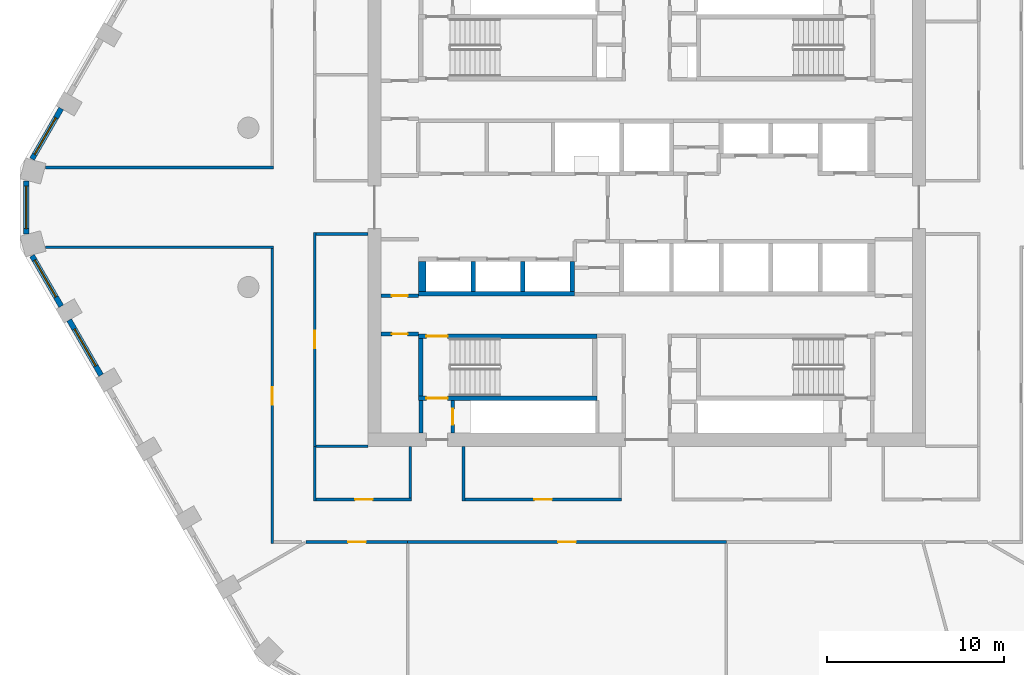
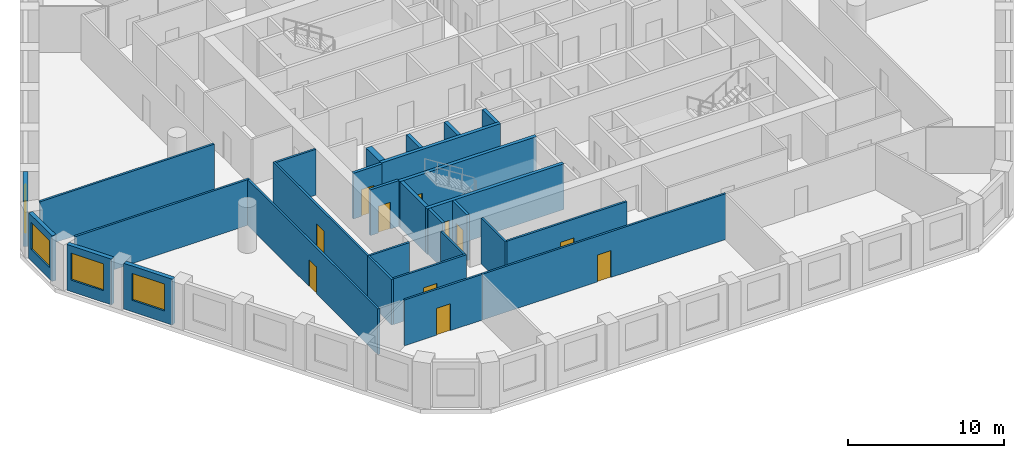
# One storey, part 2 of 10: 29 walls, 11 doors, 4 windows, 15 openings.
"""IFC4 building model written with IfcOpenShell, lengths in metres."""

import ifcopenshell
import ifcopenshell.guid

model = None  # the IFC model being written
_history = None  # IfcOwnerHistory: only IFC2X3 demands one
_inside = {}  # id of a spatial element -> (the spatial element, [elements in it])
_under = {}  # id of a project, library or spatial element -> (it, [spatial elements below it])
_declared = {}  # id of a project -> (the project, [libraries it declares])
_typed = {}  # id of a type object -> (the type object, [elements of that type])
_made_of = {}  # id of a material, layer set ... -> (it, [elements and type objects made of it])


def new_model(schema):
    """Start an empty IFC model of exactly this schema.

    Asked for "IFC4X3", IfcOpenShell would pick the latest addendum, in which some entities
    have other attributes; the version numbers below select the first issue.
    IFC2X3 requires an IfcOwnerHistory on every rooted entity: one is made here for all.
    """
    global model, _history
    if schema == "IFC4X3":
        model = ifcopenshell.file(schema_version=(4, 3, 0, 0))
    else:
        model = ifcopenshell.file(schema=schema)
    _inside.clear()
    _under.clear()
    _declared.clear()
    _typed.clear()
    _made_of.clear()
    _history = None
    if model.schema == "IFC2X3":
        org = make("IfcOrganization", Name="unknown")
        user = make(
            "IfcPersonAndOrganization",
            ThePerson=make("IfcPerson", FamilyName="unknown"),
            TheOrganization=org,
        )
        app = make(
            "IfcApplication",
            ApplicationDeveloper=org,
            Version="unknown",
            ApplicationFullName="unknown",
            ApplicationIdentifier="unknown",
        )
        _history = make(
            "IfcOwnerHistory",
            OwningUser=user,
            OwningApplication=app,
            ChangeAction="ADDED",
            CreationDate=0,
        )
    return model


def make(cls, **values):
    """One entity of the class cls with the attributes given. An attribute that is None is left unset."""
    return model.create_entity(
        cls, **{name: value for name, value in values.items() if value is not None}
    )


def rooted(cls, **values):
    """An entity with a GlobalId (a new one), such as an element, a storey or a relation."""
    return make(cls, GlobalId=ifcopenshell.guid.new(), OwnerHistory=_history, **values)


def si_unit(unit_type, name, prefix=None):
    """IfcSIUnit, for example si_unit("LENGTHUNIT", "METRE", prefix="MILLI")."""
    return make("IfcSIUnit", UnitType=unit_type, Prefix=prefix, Name=name)


def assignment(units):
    """IfcUnitAssignment: the units of a project."""
    return None if units is None else make("IfcUnitAssignment", Units=units)


def point(xyz):
    """IfcCartesianPoint."""
    return None if xyz is None else make("IfcCartesianPoint", Coordinates=xyz)


def direction(xyz):
    """IfcDirection."""
    return None if xyz is None else make("IfcDirection", DirectionRatios=xyz)


def frame(location, z_axis=None, x_axis=None):
    """IfcAxis2Placement3D, a coordinate frame: its origin and axes. An axis left out is left unset."""
    return make(
        "IfcAxis2Placement3D",
        Location=point(location),
        Axis=direction(z_axis),
        RefDirection=direction(x_axis),
    )


def frame_2d(location, x_axis=None):
    """IfcAxis2Placement2D, a coordinate frame in the plane: its origin and x axis."""
    return make(
        "IfcAxis2Placement2D", Location=point(location), RefDirection=direction(x_axis)
    )


def origin():
    """The frame at (0, 0, 0) with its axes left unset."""
    return frame((0.0, 0.0, 0.0))


def place(relative_to, where):
    """IfcLocalPlacement: puts the frame where relative to a parent placement (None: the world)."""
    return make(
        "IfcLocalPlacement", PlacementRelTo=relative_to, RelativePlacement=where
    )


def context(
    kind, dimensions, precision=None, world=None, true_north=None, identifier=None
):
    """IfcGeometricRepresentationContext, for example the 3D "Model" context."""
    return make(
        "IfcGeometricRepresentationContext",
        ContextIdentifier=identifier,
        ContextType=kind,
        CoordinateSpaceDimension=dimensions,
        Precision=precision,
        WorldCoordinateSystem=world,
        TrueNorth=true_north,
    )


def subcontext(parent, identifier, kind, view, scale=None):
    """IfcGeometricRepresentationSubContext, for example "Body" below "Model"."""
    return make(
        "IfcGeometricRepresentationSubContext",
        ContextIdentifier=identifier,
        ContextType=kind,
        ParentContext=parent,
        TargetScale=scale,
        TargetView=view,
    )


def project(units=None, contexts=None):
    """IfcProject with its units and contexts."""
    return rooted(
        "IfcProject",
        Name="project",
        RepresentationContexts=contexts,
        UnitsInContext=assignment(units),
    )


def spatial(cls, under=None, at=None, **own):
    """A site, building, storey or space (cls), placed at a placement, below another one or the project."""
    s = rooted(cls, ObjectPlacement=at, **own)
    if under is not None:
        _under.setdefault(under.id(), (under, []))[1].append(s)
    return s


def polyline(points):
    """IfcPolyline through the points."""
    return make("IfcPolyline", Points=[point(p) for p in points])


def profile(cls, at=None, kind="AREA", **sizes):
    """A parametric profile (cls). Its sizes go by their IFC names, for example OverallWidth=200.0."""
    return make(cls, ProfileType=kind, Position=at, **sizes)


def rectangle(**sizes):
    """IfcRectangleProfileDef."""
    return profile("IfcRectangleProfileDef", **sizes)


def outline(outer, holes=None, kind="AREA"):
    """IfcArbitraryClosedProfileDef: a profile drawn as a closed curve; with holes, ...WithVoids."""
    if holes is None:
        return make("IfcArbitraryClosedProfileDef", ProfileType=kind, OuterCurve=outer)
    return make(
        "IfcArbitraryProfileDefWithVoids",
        ProfileType=kind,
        OuterCurve=outer,
        InnerCurves=holes,
    )


def extrude(swept, where, along, depth):
    """IfcExtrudedAreaSolid: the profile swept, set in the frame where, extruded along a direction by depth."""
    return make(
        "IfcExtrudedAreaSolid",
        SweptArea=swept,
        Position=where,
        ExtrudedDirection=direction(along),
        Depth=depth,
    )


def shape(context_of_items, identifier, shape_type, items):
    """IfcShapeRepresentation: the items that make up one representation, for example the "Body"."""
    return make(
        "IfcShapeRepresentation",
        ContextOfItems=context_of_items,
        RepresentationIdentifier=identifier,
        RepresentationType=shape_type,
        Items=items,
    )


def material(Name=None, Category=None):
    """IfcMaterial."""
    return make("IfcMaterial", Name=Name, Category=Category)


def layer(
    of_material, thickness, ventilated=None, Name=None, Category=None, Priority=None
):
    """IfcMaterialLayer: one layer of a wall or slab, of a material (None: an air gap)."""
    return make(
        "IfcMaterialLayer",
        Material=of_material,
        LayerThickness=thickness,
        IsVentilated=ventilated,
        Name=Name,
        Category=Category,
        Priority=Priority,
    )


def layer_set(layers, Name=None):
    """IfcMaterialLayerSet."""
    return make("IfcMaterialLayerSet", MaterialLayers=layers, LayerSetName=Name)


def made_of(thing, what):
    """Note that an element or type object is made of a material, layer set ...; save() writes the relation."""
    if what is not None:
        _made_of.setdefault(what.id(), (what, []))[1].append(thing)
    return thing


def type_object(cls, material=None, **own):
    """A type object (cls), such as IfcWallType, which elements share."""
    return made_of(rooted(cls, **own), material)


def element(
    cls,
    number,
    at=None,
    inside=None,
    cuts=None,
    type_object=None,
    material=None,
    context=None,
    identifier="Body",
    shape_type=None,
    held_by="IfcProductDefinitionShape",
    body=None,
    shapes=None,
    **own,
):
    """One element of the class cls, such as IfcWall. Its Tag is "e" and its number.

    at: its placement. inside: the storey or other place that contains it. cuts: it is an
    opening in that element (IfcRelVoidsElement). A single representation is given by context,
    identifier, shape_type and body (its items); several are given by shapes. held_by: the class
    of the entity that holds the representations. save() writes the other relations.
    """
    e = rooted(cls, Tag="e%d" % number, ObjectPlacement=at, **own)
    if body is not None:
        shapes = [shape(context, identifier, shape_type, body)]
    if shapes is not None:
        e.Representation = make(held_by, Representations=shapes)
    if inside is not None:
        _inside.setdefault(inside.id(), (inside, []))[1].append(e)
    if cuts is not None:
        rooted(
            "IfcRelVoidsElement", RelatingBuildingElement=cuts, RelatedOpeningElement=e
        )
    if type_object is not None:
        _typed.setdefault(type_object.id(), (type_object, []))[1].append(e)
    return made_of(e, material)


def fill(opening, filler):
    """IfcRelFillsElement: the door or window that sits in an opening."""
    return rooted(
        "IfcRelFillsElement",
        RelatingOpeningElement=opening,
        RelatedBuildingElement=filler,
    )


def aggregate(whole, parts):
    """IfcRelAggregates: a whole, such as a stair, and the parts it consists of."""
    return rooted("IfcRelAggregates", RelatingObject=whole, RelatedObjects=parts)


def save(model, path):
    """Write the relations noted so far, then the file.

    IfcRelAggregates (storeys below a building ...), IfcRelContainedInSpatialStructure (elements
    in a storey), IfcRelDefinesByType, IfcRelAssociatesMaterial and IfcRelDeclares: one each for
    every whole, place, type object, material and project.
    """
    for whole, parts in _under.values():
        aggregate(whole, parts)
    for where, things in _inside.values():
        rooted(
            "IfcRelContainedInSpatialStructure",
            RelatedElements=things,
            RelatingStructure=where,
        )
    for kind, things in _typed.values():
        rooted("IfcRelDefinesByType", RelatedObjects=things, RelatingType=kind)
    for what, things in _made_of.values():
        rooted("IfcRelAssociatesMaterial", RelatedObjects=things, RelatingMaterial=what)
    for by, libraries in _declared.values():
        rooted("IfcRelDeclares", RelatingContext=by, RelatedDefinitions=libraries)
    model.write(path)


model = new_model("IFC4")

# Units and contexts
model_context = context("Model", 3, precision=1e-05, world=origin(), true_north=direction((0.0, 1.0)))
body_context = subcontext(model_context, "Body", "Model", "MODEL_VIEW")
ifc_project = project(units=[si_unit("LENGTHUNIT", "METRE"), si_unit("AREAUNIT", "SQUARE_METRE"), si_unit("VOLUMEUNIT", "CUBIC_METRE"), si_unit("PLANEANGLEUNIT", "RADIAN"), si_unit("MASSUNIT", "GRAM", prefix="KILO")], contexts=[model_context])

# Site, building, storey
site_placement = place(None, origin())
site = spatial("IfcSite", under=ifc_project, at=site_placement, CompositionType="ELEMENT")
building_placement = place(site_placement, origin())
building = spatial("IfcBuilding", under=site, at=building_placement, Name="Dhurran Vertical Campus", CompositionType="ELEMENT")
storey_placement = place(building_placement, frame((0.0, 0.0, 148.199951171875)))
storey = spatial("IfcBuildingStorey", under=building, at=storey_placement, Name="L36", CompositionType="ELEMENT", Elevation=148.199951171875)

# Wall, opening, window
ifc_material_1 = material(Name="Precast concrete C50/60", Category="concrete")
ifc_layer_1 = layer(ifc_material_1, 0.300048828125)
ifc_layer_set_1 = layer_set([ifc_layer_1], Name="Precast concrete C50/60")
wall_type_1 = type_object("IfcWallType", Name="Precast spandrel wall 300", PredefinedType="SOLIDWALL", material=ifc_layer_set_1)
wall_1_placement = place(storey_placement, frame((-33.0693359375, 5.58203125, 0.0), z_axis=(0.0, 0.0, 1.0), x_axis=(-0.499981217486, -0.866036247602, 0.0)))
wall_1 = element("IfcWall", 1, at=wall_1_placement, inside=storey, type_object=wall_type_1, Name="EW1 L36.37", PredefinedType="SOLIDWALL", context=body_context, shape_type="SweptSolid", body=[
    extrude(rectangle(XDim=3.294189453125, YDim=0.300048828125, at=frame_2d((1.64697265625, 0.0))), origin(), (0.0, 0.0, 1.0), 3.574951171875),
])
opening_1_placement = place(wall_1_placement, frame((0.599609375, 0.0, 0.89990234375)))
opening_1 = element("IfcOpeningElement", 2, at=opening_1_placement, cuts=wall_1, Name="Opening WT1", PredefinedType="OPENING", context=body_context, shape_type="SweptSolid", body=[
    extrude(rectangle(XDim=2.39990234375, YDim=2.10009765625, at=frame_2d((1.199951171875, 1.050048828125))), frame((0.0, 0.159912109375, 0.0), z_axis=(0.0, -1.0, 0.0), x_axis=(1.0, 0.0, 0.0)), (0.0, 0.0, 1.0), 0.320068359375),
])
ifc_material_2 = material(Name="Aluminium frame with solar-control glass", Category="aluminium")
window_type = type_object("IfcWindowType", Name="Punched window 2400 x 2100", PartitioningType="SINGLE_PANEL", PredefinedType="WINDOW", material=ifc_material_2)
window_1_placement = place(opening_1_placement, origin())
window_1 = element("IfcWindow", 3, at=window_1_placement, inside=storey, type_object=window_type, Name="WT1 L36.37", OverallHeight=2.10009765625, OverallWidth=2.39990234375, PartitioningType="SINGLE_PANEL", PredefinedType="WINDOW", context=body_context, shape_type="SweptSolid", body=[
    extrude(rectangle(XDim=2.39990234375, YDim=2.10009765625, at=frame_2d((1.199951171875, 1.050048828125))), frame((0.0, 0.030029296875, 0.0), z_axis=(0.0, -1.0, 0.0), x_axis=(1.0, 0.0, 0.0)), (0.0, 0.0, 1.0), 0.06005859375),
])
fill(opening_1, window_1)

wall_2_placement = place(storey_placement, frame((-35.047119140625, 1.49462890625, 0.0), z_axis=(0.0, 0.0, 1.0), x_axis=(0.0, -1.0, 0.0)))
wall_2 = element("IfcWall", 4, at=wall_2_placement, inside=storey, type_object=wall_type_1, Name="EW1 L36.38", PredefinedType="SOLIDWALL", context=body_context, shape_type="SweptSolid", body=[
    extrude(rectangle(XDim=2.9892578125, YDim=0.300048828125, at=frame_2d((1.49462890625, 0.0))), origin(), (0.0, 0.0, 1.0), 3.574951171875),
])
opening_2_placement = place(wall_2_placement, frame((0.294677734375, 0.0, 0.89990234375)))
opening_2 = element("IfcOpeningElement", 5, at=opening_2_placement, cuts=wall_2, Name="Opening WT1", PredefinedType="OPENING", context=body_context, shape_type="SweptSolid", body=[
    extrude(rectangle(XDim=2.39990234375, YDim=2.10009765625, at=frame_2d((1.199951171875, 1.050048828125))), frame((0.0, 0.159912109375, 0.0), z_axis=(0.0, -1.0, 0.0), x_axis=(1.0, 0.0, 0.0)), (0.0, 0.0, 1.0), 0.320068359375),
])
window_2_placement = place(opening_2_placement, origin())
window_2 = element("IfcWindow", 6, at=window_2_placement, inside=storey, type_object=window_type, Name="WT1 L36.38", OverallHeight=2.10009765625, OverallWidth=2.39990234375, PartitioningType="SINGLE_PANEL", PredefinedType="WINDOW", context=body_context, shape_type="SweptSolid", body=[
    extrude(rectangle(XDim=2.39990234375, YDim=2.10009765625, at=frame_2d((1.199951171875, 1.050048828125))), frame((0.0, 0.030029296875, 0.0), z_axis=(0.0, -1.0, 0.0), x_axis=(1.0, 0.0, 0.0)), (0.0, 0.0, 1.0), 0.06005859375),
])
fill(opening_2, window_2)

wall_3_placement = place(storey_placement, frame((-34.71630859375, -2.729248046875, 0.0), z_axis=(0.0, 0.0, 1.0), x_axis=(0.499981217486, -0.866036247602, 0.0)))
wall_3 = element("IfcWall", 7, at=wall_3_placement, inside=storey, type_object=wall_type_1, Name="EW1 L36.39", PredefinedType="SOLIDWALL", context=body_context, shape_type="SweptSolid", body=[
    extrude(rectangle(XDim=3.294189453125, YDim=0.300048828125, at=frame_2d((1.64697265625, 0.0))), origin(), (0.0, 0.0, 1.0), 3.574951171875),
])
opening_3_placement = place(wall_3_placement, frame((0.294677734375, 0.0, 0.89990234375)))
opening_3 = element("IfcOpeningElement", 8, at=opening_3_placement, cuts=wall_3, Name="Opening WT1", PredefinedType="OPENING", context=body_context, shape_type="SweptSolid", body=[
    extrude(rectangle(XDim=2.39990234375, YDim=2.10009765625, at=frame_2d((1.199951171875, 1.050048828125))), frame((0.0, 0.159912109375, 0.0), z_axis=(0.0, -1.0, 0.0), x_axis=(1.0, 0.0, 0.0)), (0.0, 0.0, 1.0), 0.320068359375),
])
window_3_placement = place(opening_3_placement, origin())
window_3 = element("IfcWindow", 9, at=window_3_placement, inside=storey, type_object=window_type, Name="WT1 L36.39", OverallHeight=2.10009765625, OverallWidth=2.39990234375, PartitioningType="SINGLE_PANEL", PredefinedType="WINDOW", context=body_context, shape_type="SweptSolid", body=[
    extrude(rectangle(XDim=2.39990234375, YDim=2.10009765625, at=frame_2d((1.199951171875, 1.050048828125))), frame((0.0, 0.030029296875, 0.0), z_axis=(0.0, -1.0, 0.0), x_axis=(1.0, 0.0, 0.0)), (0.0, 0.0, 1.0), 0.06005859375),
])
fill(opening_3, window_3)

wall_4_placement = place(storey_placement, frame((-32.618896484375, -6.3623046875, 0.0), z_axis=(0.0, 0.0, 1.0), x_axis=(0.500027802648, -0.866009351323, 0.0)))
wall_4 = element("IfcWall", 10, at=wall_4_placement, inside=storey, type_object=wall_type_1, Name="EW1 L36.40", PredefinedType="SOLIDWALL", context=body_context, shape_type="SweptSolid", body=[
    extrude(rectangle(XDim=3.598876953125, YDim=0.300048828125, at=frame_2d((1.79931640625, 0.0))), origin(), (0.0, 0.0, 1.0), 3.574951171875),
])
opening_4_placement = place(wall_4_placement, frame((0.599609375, 0.0, 0.89990234375)))
opening_4 = element("IfcOpeningElement", 11, at=opening_4_placement, cuts=wall_4, Name="Opening WT1", PredefinedType="OPENING", context=body_context, shape_type="SweptSolid", body=[
    extrude(rectangle(XDim=2.39990234375, YDim=2.10009765625, at=frame_2d((1.199951171875, 1.050048828125))), frame((0.0, 0.159912109375, 0.0), z_axis=(0.0, -1.0, 0.0), x_axis=(1.0, 0.0, 0.0)), (0.0, 0.0, 1.0), 0.320068359375),
])
window_4_placement = place(opening_4_placement, origin())
window_4 = element("IfcWindow", 12, at=window_4_placement, inside=storey, type_object=window_type, Name="WT1 L36.40", OverallHeight=2.10009765625, OverallWidth=2.39990234375, PartitioningType="SINGLE_PANEL", PredefinedType="WINDOW", context=body_context, shape_type="SweptSolid", body=[
    extrude(rectangle(XDim=2.39990234375, YDim=2.10009765625, at=frame_2d((1.199951171875, 1.050048828125))), frame((0.0, 0.030029296875, 0.0), z_axis=(0.0, -1.0, 0.0), x_axis=(1.0, 0.0, 0.0)), (0.0, 0.0, 1.0), 0.06005859375),
])
fill(opening_4, window_4)

# Wall
ifc_material_3 = material(Name="Fire-rated masonry blockwork", Category="masonry")
ifc_layer_2 = layer(ifc_material_3, 0.199951171875)
ifc_layer_set_2 = layer_set([ifc_layer_2], Name="Fire-rated masonry blockwork")
wall_type_2 = type_object("IfcWallType", Name="co-FIRE-PARTITION-200", PredefinedType="PARTITIONING", material=ifc_layer_set_2)
wall_5_placement = place(storey_placement, frame((-12.75, -12.75, 0.0), z_axis=(0.0, 0.0, 1.0), x_axis=(0.0, 1.0, 0.0)))
element("IfcWall", 13, at=wall_5_placement, inside=storey, type_object=wall_type_2, Name="Core partition pass-ST3-o L36", PredefinedType="PARTITIONING", context=body_context, shape_type="SweptSolid", body=[
    extrude(rectangle(XDim=1.85009765625, YDim=0.199951171875, at=frame_2d((0.925048828125, 0.0))), origin(), (0.0, 0.0, 1.0), 3.574951171875),
])

# Wall, opening, door
wall_6_placement = place(storey_placement, frame((-10.949951171875, -12.75, 0.0), z_axis=(0.0, 0.0, 1.0), x_axis=(0.0, 1.0, 0.0)))
wall_6 = element("IfcWall", 14, at=wall_6_placement, inside=storey, type_object=wall_type_2, Name="Core partition pass-ST3-i L36", PredefinedType="PARTITIONING", context=body_context, shape_type="SweptSolid", body=[
    extrude(rectangle(XDim=1.85009765625, YDim=0.199951171875, at=frame_2d((0.925048828125, 0.0))), origin(), (0.0, 0.0, 1.0), 3.574951171875),
])
opening_5_placement = place(wall_6_placement, frame((0.47509765625, 0.0, 0.0)))
opening_5 = element("IfcOpeningElement", 15, at=opening_5_placement, cuts=wall_6, Name="Opening T10-C13", PredefinedType="OPENING", context=body_context, shape_type="SweptSolid", body=[
    extrude(rectangle(XDim=0.89990234375, YDim=2.10009765625, at=frame_2d((0.449951171875, 1.050048828125))), frame((0.0, 0.10986328125, 0.0), z_axis=(0.0, -1.0, 0.0), x_axis=(1.0, 0.0, 0.0)), (0.0, 0.0, 1.0), 0.219970703125),
])
ifc_material_4 = material(Name="Fire-rated timber door set", Category="wood")
door_type_1 = type_object("IfcDoorType", Name="co-D-ROOM 900x2100", OperationType="SINGLE_SWING_LEFT", PredefinedType="DOOR", material=ifc_material_4)
door_1_placement = place(opening_5_placement, origin())
door_1 = element("IfcDoor", 16, at=door_1_placement, inside=storey, type_object=door_type_1, Name="Riser room door L36", OperationType="SINGLE_SWING_LEFT", OverallHeight=2.10009765625, OverallWidth=0.89990234375, PredefinedType="DOOR", context=body_context, shape_type="SweptSolid", body=[
    extrude(rectangle(XDim=0.89990234375, YDim=2.10009765625, at=frame_2d((0.449951171875, 1.050048828125))), frame((0.0, 0.02490234375, 0.0), z_axis=(0.0, -1.0, 0.0), x_axis=(1.0, 0.0, 0.0)), (0.0, 0.0, 1.0), 0.050048828125),
])
fill(opening_5, door_1)

wall_7_placement = place(storey_placement, frame((-15.0, -7.14990234375, 0.0), z_axis=(0.0, 0.0, 1.0), x_axis=(1.0, 0.0, 0.0)))
wall_7 = element("IfcWall", 17, at=wall_7_placement, inside=storey, type_object=wall_type_2, Name="Core partition en-SW-w L36", PredefinedType="PARTITIONING", context=body_context, shape_type="SweptSolid", body=[
    extrude(rectangle(XDim=2.10009765625, YDim=0.199951171875, at=frame_2d((1.050048828125, 0.0))), origin(), (0.0, 0.0, 1.0), 3.574951171875),
])
opening_6_placement = place(wall_7_placement, frame((0.60009765625, 0.0, 0.0)))
opening_6 = element("IfcOpeningElement", 18, at=opening_6_placement, cuts=wall_7, Name="Opening T10-C19", PredefinedType="OPENING", context=body_context, shape_type="SweptSolid", body=[
    extrude(rectangle(XDim=0.89990234375, YDim=2.10009765625, at=frame_2d((0.449951171875, 1.050048828125))), frame((0.0, 0.10986328125, 0.0), z_axis=(0.0, -1.0, 0.0), x_axis=(1.0, 0.0, 0.0)), (0.0, 0.0, 1.0), 0.219970703125),
])
door_2_placement = place(opening_6_placement, origin())
door_2 = element("IfcDoor", 19, at=door_2_placement, inside=storey, type_object=door_type_1, Name="Print room door L36", OperationType="SINGLE_SWING_LEFT", OverallHeight=2.10009765625, OverallWidth=0.89990234375, PredefinedType="DOOR", context=body_context, shape_type="SweptSolid", body=[
    extrude(rectangle(XDim=0.89990234375, YDim=2.10009765625, at=frame_2d((0.449951171875, 1.050048828125))), frame((0.0, 0.02490234375, 0.0), z_axis=(0.0, -1.0, 0.0), x_axis=(1.0, 0.0, 0.0)), (0.0, 0.0, 1.0), 0.050048828125),
])
fill(opening_6, door_2)

wall_8_placement = place(storey_placement, frame((-15.0, -5.0, 0.0), z_axis=(0.0, 0.0, 1.0), x_axis=(1.0, 0.0, 0.0)))
wall_8 = element("IfcWall", 20, at=wall_8_placement, inside=storey, type_object=wall_type_2, Name="Core partition es-SW-w L36", PredefinedType="PARTITIONING", context=body_context, shape_type="SweptSolid", body=[
    extrude(rectangle(XDim=2.10009765625, YDim=0.199951171875, at=frame_2d((1.050048828125, 0.0))), origin(), (0.0, 0.0, 1.0), 3.574951171875),
])
opening_7_placement = place(wall_8_placement, frame((0.60009765625, 0.0, 0.0)))
opening_7 = element("IfcOpeningElement", 21, at=opening_7_placement, cuts=wall_8, Name="Opening T10-C20", PredefinedType="OPENING", context=body_context, shape_type="SweptSolid", body=[
    extrude(rectangle(XDim=0.89990234375, YDim=2.10009765625, at=frame_2d((0.449951171875, 1.050048828125))), frame((0.0, 0.10986328125, 0.0), z_axis=(0.0, -1.0, 0.0), x_axis=(1.0, 0.0, 0.0)), (0.0, 0.0, 1.0), 0.219970703125),
])
door_3_placement = place(opening_7_placement, origin())
door_3 = element("IfcDoor", 22, at=door_3_placement, inside=storey, type_object=door_type_1, Name="Pantry door L36", OperationType="SINGLE_SWING_LEFT", OverallHeight=2.10009765625, OverallWidth=0.89990234375, PredefinedType="DOOR", context=body_context, shape_type="SweptSolid", body=[
    extrude(rectangle(XDim=0.89990234375, YDim=2.10009765625, at=frame_2d((0.449951171875, 1.050048828125))), frame((0.0, 0.02490234375, 0.0), z_axis=(0.0, -1.0, 0.0), x_axis=(1.0, 0.0, 0.0)), (0.0, 0.0, 1.0), 0.050048828125),
])
fill(opening_7, door_3)

# Walls
ifc_material_5 = material(Name="Concrete C50/60", Category="concrete")
ifc_layer_3 = layer(ifc_material_5, 0.25)
ifc_layer_set_3 = layer_set([ifc_layer_3], Name="Concrete C50/60")
wall_type_3 = type_object("IfcWallType", Name="co-SHAFT-MASS-250", PredefinedType="SHEAR", material=ifc_layer_set_3)
wall_9_placement = place(storey_placement, origin())
element("IfcWall", 23, at=wall_9_placement, inside=storey, type_object=wall_type_3, Name="Lift shaft wall S L36 1", PredefinedType="SHEAR", context=body_context, shape_type="SweptSolid", body=[
    extrude(outline(polyline([(-12.89990234375, -5.0), (-4.074951171875, -5.0), (-4.074951171875, -4.75), (-12.89990234375, -4.75), (-12.89990234375, -5.0)])), origin(), (0.0, 0.0, 1.0), 3.574951171875),
])
wall_10_placement = place(storey_placement, origin())
element("IfcWall", 24, at=wall_10_placement, inside=storey, type_object=wall_type_3, Name="Lift shaft wall S L36 3", PredefinedType="SHEAR", context=body_context, shape_type="SweptSolid", body=[
    extrude(outline(polyline([(-12.89990234375, -4.75), (-12.47509765625, -4.75), (-12.47509765625, -3.050048828125), (-12.89990234375, -3.050048828125), (-12.89990234375, -4.75)])), origin(), (0.0, 0.0, 1.0), 3.574951171875),
])
wall_11_placement = place(storey_placement, origin())
element("IfcWall", 25, at=wall_11_placement, inside=storey, type_object=wall_type_3, Name="Lift shaft wall S L36 4", PredefinedType="SHEAR", context=body_context, shape_type="SweptSolid", body=[
    extrude(outline(polyline([(-9.925048828125, -4.75), (-9.675048828125, -4.75), (-9.675048828125, -3.050048828125), (-9.925048828125, -3.050048828125), (-9.925048828125, -4.75)])), origin(), (0.0, 0.0, 1.0), 3.574951171875),
])
wall_12_placement = place(storey_placement, origin())
element("IfcWall", 26, at=wall_12_placement, inside=storey, type_object=wall_type_3, Name="Lift shaft wall S L36 5", PredefinedType="SHEAR", context=body_context, shape_type="SweptSolid", body=[
    extrude(outline(polyline([(-7.125, -4.75), (-6.875, -4.75), (-6.875, -3.050048828125), (-7.125, -3.050048828125), (-7.125, -4.75)])), origin(), (0.0, 0.0, 1.0), 3.574951171875),
])
wall_13_placement = place(storey_placement, origin())
element("IfcWall", 27, at=wall_13_placement, inside=storey, type_object=wall_type_3, Name="Lift shaft wall S L36 6", PredefinedType="SHEAR", context=body_context, shape_type="SweptSolid", body=[
    extrude(outline(polyline([(-4.324951171875, -4.75), (-4.074951171875, -4.75), (-4.074951171875, -3.050048828125), (-4.324951171875, -3.050048828125), (-4.324951171875, -4.75)])), origin(), (0.0, 0.0, 1.0), 3.574951171875),
])

# Wall, opening, door
ifc_material_6 = material(Name="Concrete C40/50", Category="concrete")
ifc_layer_4 = layer(ifc_material_6, 0.25)
ifc_layer_set_4 = layer_set([ifc_layer_4], Name="Concrete C40/50")
wall_type_4 = type_object("IfcWallType", Name="co-STAIR-WALL-250", PredefinedType="SHEAR", material=ifc_layer_set_4)
wall_14_placement = place(storey_placement, frame((-12.89990234375, -10.77490234375, 0.0), z_axis=(0.0, 0.0, 1.0), x_axis=(1.0, 0.0, 0.0)))
wall_14 = element("IfcWall", 28, at=wall_14_placement, inside=storey, type_object=wall_type_4, Name="Stair ST3 enclosure wall L36", PredefinedType="SHEAR", context=body_context, shape_type="SweptSolid", body=[
    extrude(rectangle(XDim=10.099853515625, YDim=0.25, at=frame_2d((5.0498046875, 0.0))), origin(), (0.0, 0.0, 1.0), 3.574951171875),
])
opening_8_placement = place(wall_14_placement, frame((0.449951171875, 0.0, 0.0)))
opening_8 = element("IfcOpeningElement", 29, at=opening_8_placement, cuts=wall_14, Name="Opening XS3", PredefinedType="OPENING", context=body_context, shape_type="SweptSolid", body=[
    extrude(rectangle(XDim=1.199951171875, YDim=2.10009765625, at=frame_2d((0.60009765625, 1.050048828125))), frame((0.0, 0.135009765625, 0.0), z_axis=(0.0, -1.0, 0.0), x_axis=(1.0, 0.0, 0.0)), (0.0, 0.0, 1.0), 0.27001953125),
])
ifc_material_7 = material(Name="Fire-rated steel door set", Category="steel")
door_type_2 = type_object("IfcDoorType", Name="co-D-STAIR-EXIT 1200x2100", OperationType="SINGLE_SWING_RIGHT", PredefinedType="DOOR", material=ifc_material_7)
door_4_placement = place(opening_8_placement, origin())
door_4 = element("IfcDoor", 30, at=door_4_placement, inside=storey, type_object=door_type_2, Name="Stair ST3 discharge door L36", OperationType="SINGLE_SWING_RIGHT", OverallHeight=2.10009765625, OverallWidth=1.199951171875, PredefinedType="DOOR", context=body_context, shape_type="SweptSolid", body=[
    extrude(rectangle(XDim=1.199951171875, YDim=2.10009765625, at=frame_2d((0.60009765625, 1.050048828125))), frame((0.0, 0.02490234375, 0.0), z_axis=(0.0, -1.0, 0.0), x_axis=(1.0, 0.0, 0.0)), (0.0, 0.0, 1.0), 0.050048828125),
])
fill(opening_8, door_4)

wall_15_placement = place(storey_placement, frame((-12.89990234375, -7.27490234375, 0.0), z_axis=(0.0, 0.0, 1.0), x_axis=(1.0, 0.0, 0.0)))
wall_15 = element("IfcWall", 31, at=wall_15_placement, inside=storey, type_object=wall_type_4, Name="Stair ST3 enclosure wall L36", PredefinedType="SHEAR", context=body_context, shape_type="SweptSolid", body=[
    extrude(rectangle(XDim=10.099853515625, YDim=0.25, at=frame_2d((5.0498046875, 0.0))), origin(), (0.0, 0.0, 1.0), 3.574951171875),
])
opening_9_placement = place(wall_15_placement, frame((0.449951171875, 0.0, 0.0)))
opening_9 = element("IfcOpeningElement", 32, at=opening_9_placement, cuts=wall_15, Name="Opening SD3", PredefinedType="OPENING", context=body_context, shape_type="SweptSolid", body=[
    extrude(rectangle(XDim=1.199951171875, YDim=2.10009765625, at=frame_2d((0.60009765625, 1.050048828125))), frame((0.0, 0.135009765625, 0.0), z_axis=(0.0, -1.0, 0.0), x_axis=(1.0, 0.0, 0.0)), (0.0, 0.0, 1.0), 0.27001953125),
])
ifc_material_8 = material(Name="Fire-rated steel door set", Category="steel")
door_type_3 = type_object("IfcDoorType", Name="co-D-STAIR 1200x2100", OperationType="SINGLE_SWING_LEFT", PredefinedType="DOOR", material=ifc_material_8)
door_5_placement = place(opening_9_placement, origin())
door_5 = element("IfcDoor", 33, at=door_5_placement, inside=storey, type_object=door_type_3, Name="Stair ST3 door L36", OperationType="SINGLE_SWING_LEFT", OverallHeight=2.10009765625, OverallWidth=1.199951171875, PredefinedType="DOOR", context=body_context, shape_type="SweptSolid", body=[
    extrude(rectangle(XDim=1.199951171875, YDim=2.10009765625, at=frame_2d((0.60009765625, 1.050048828125))), frame((0.0, 0.02490234375, 0.0), z_axis=(0.0, -1.0, 0.0), x_axis=(1.0, 0.0, 0.0)), (0.0, 0.0, 1.0), 0.050048828125),
])
fill(opening_9, door_5)

# Walls
wall_16_placement = place(storey_placement, frame((-12.77490234375, -10.64990234375, 0.0), z_axis=(0.0, 0.0, 1.0), x_axis=(0.0, 1.0, 0.0)))
element("IfcWall", 34, at=wall_16_placement, inside=storey, type_object=wall_type_4, Name="Stair ST3 enclosure wall L36", PredefinedType="SHEAR", context=body_context, shape_type="SweptSolid", body=[
    extrude(rectangle(XDim=3.25, YDim=0.25, at=frame_2d((1.625, 0.0))), origin(), (0.0, 0.0, 1.0), 3.574951171875),
])
ifc_material_9 = material(Name="Gypsum board corridor wall on steel studs", Category="steel")
ifc_layer_5 = layer(ifc_material_9, 0.14990234375)
ifc_layer_set_5 = layer_set([ifc_layer_5], Name="Gypsum board corridor wall on steel studs")
wall_type_5 = type_object("IfcWallType", Name="fl-CW-150 corridor wall", PredefinedType="PARTITIONING", material=ifc_layer_set_5)
for number, where, z_axis, x_axis, name in (
    (35, (-21.074951171875, -2.25, 0.0), (0.0, 0.0, 1.0), (-1.0, 0.0, 0.0), "Partition 36-01"),
    (36, (-33.9677734375, 2.25, 0.0), (0.0, 0.0, 1.0), (1.0, 0.0, 0.0), "Partition 36-02"),
):
    element("IfcWall", number, at=place(storey_placement, frame(where, z_axis=z_axis, x_axis=x_axis)), inside=storey, type_object=wall_type_5, Name=name, PredefinedType="PARTITIONING", context=body_context, shape_type="SweptSolid", body=[
        extrude(rectangle(XDim=12.892822265625, YDim=0.14990234375, at=frame_2d((6.4462890625, 0.0))), origin(), (0.0, 0.0, 1.0), 3.574951171875),
    ])

# Wall, opening, door
wall_17_placement = place(storey_placement, frame((-21.14990234375, -2.324951171875, 0.0), z_axis=(0.0, 0.0, 1.0), x_axis=(0.0, -1.0, 0.0)))
wall_17 = element("IfcWall", 37, at=wall_17_placement, inside=storey, type_object=wall_type_5, Name="Partition 36-05", PredefinedType="PARTITIONING", context=body_context, shape_type="SweptSolid", body=[
    extrude(rectangle(XDim=16.650146484375, YDim=0.14990234375, at=frame_2d((8.3251953125, 0.0))), origin(), (0.0, 0.0, 1.0), 3.574951171875),
])
opening_10_placement = place(wall_17_placement, frame((7.824951171875, 0.0, 0.0)))
opening_10 = element("IfcOpeningElement", 38, at=opening_10_placement, cuts=wall_17, Name="Opening T10.01", PredefinedType="OPENING", context=body_context, shape_type="SweptSolid", body=[
    extrude(rectangle(XDim=1.0, YDim=2.10009765625, at=frame_2d((0.5, 1.050048828125))), frame((0.0, 0.0849609375, 0.0), z_axis=(0.0, -1.0, 0.0), x_axis=(1.0, 0.0, 0.0)), (0.0, 0.0, 1.0), 0.169921875),
])
ifc_material_10 = material(Name="Solid-core timber door set, fire-rated", Category="wood")
door_type_4 = type_object("IfcDoorType", Name="fl-D-1000x2100", OperationType="SINGLE_SWING_LEFT", PredefinedType="DOOR", material=ifc_material_10)
door_6_placement = place(opening_10_placement, origin())
door_6 = element("IfcDoor", 39, at=door_6_placement, inside=storey, type_object=door_type_4, Name="Door 36.01", OperationType="SINGLE_SWING_RIGHT", OverallHeight=2.10009765625, OverallWidth=1.0, PredefinedType="DOOR", context=body_context, shape_type="SweptSolid", body=[
    extrude(rectangle(XDim=1.0, YDim=2.10009765625, at=frame_2d((0.5, 1.050048828125))), frame((0.0, 0.02490234375, 0.0), z_axis=(0.0, -1.0, 0.0), x_axis=(1.0, 0.0, 0.0)), (0.0, 0.0, 1.0), 0.050048828125),
])
fill(opening_10, door_6)

wall_18_placement = place(storey_placement, frame((-19.236083984375, -18.89990234375, 0.0), z_axis=(0.0, 0.0, 1.0), x_axis=(1.0, 0.0, 0.0)))
wall_18 = element("IfcWall", 40, at=wall_18_placement, inside=storey, type_object=wall_type_5, Name="Partition 36-09", PredefinedType="PARTITIONING", context=body_context, shape_type="SweptSolid", body=[
    extrude(rectangle(XDim=5.736083984375, YDim=0.14990234375, at=frame_2d((2.8681640625, 0.0))), origin(), (0.0, 0.0, 1.0), 3.574951171875),
])
opening_11_placement = place(wall_18_placement, frame((2.367919921875, 0.0, 0.0)))
opening_11 = element("IfcOpeningElement", 41, at=opening_11_placement, cuts=wall_18, Name="Opening T10.04", PredefinedType="OPENING", context=body_context, shape_type="SweptSolid", body=[
    extrude(rectangle(XDim=1.0, YDim=2.10009765625, at=frame_2d((0.5, 1.050048828125))), frame((0.0, 0.0849609375, 0.0), z_axis=(0.0, -1.0, 0.0), x_axis=(1.0, 0.0, 0.0)), (0.0, 0.0, 1.0), 0.169921875),
])
door_7_placement = place(opening_11_placement, origin())
door_7 = element("IfcDoor", 42, at=door_7_placement, inside=storey, type_object=door_type_4, Name="Door 36.04", OperationType="SINGLE_SWING_RIGHT", OverallHeight=2.10009765625, OverallWidth=1.0, PredefinedType="DOOR", context=body_context, shape_type="SweptSolid", body=[
    extrude(rectangle(XDim=1.0, YDim=2.10009765625, at=frame_2d((0.5, 1.050048828125))), frame((0.0, 0.02490234375, 0.0), z_axis=(0.0, -1.0, 0.0), x_axis=(1.0, 0.0, 0.0)), (0.0, 0.0, 1.0), 0.050048828125),
])
fill(opening_11, door_7)

# Wall
wall_19_placement = place(storey_placement, frame((-18.75, -16.574951171875, 0.0), z_axis=(0.0, 0.0, 1.0), x_axis=(0.0, 1.0, 0.0)))
element("IfcWall", 43, at=wall_19_placement, inside=storey, type_object=wall_type_5, Name="Partition 36-11", PredefinedType="PARTITIONING", context=body_context, shape_type="SweptSolid", body=[
    extrude(rectangle(XDim=3.074951171875, YDim=0.14990234375, at=frame_2d((1.53759765625, 0.0))), origin(), (0.0, 0.0, 1.0), 3.574951171875),
])

# Wall, opening, door
wall_20_placement = place(storey_placement, frame((-13.27490234375, -16.5, 0.0), z_axis=(0.0, 0.0, 1.0), x_axis=(-1.0, 0.0, 0.0)))
wall_20 = element("IfcWall", 44, at=wall_20_placement, inside=storey, type_object=wall_type_5, Name="Partition 36-12", PredefinedType="PARTITIONING", context=body_context, shape_type="SweptSolid", body=[
    extrude(rectangle(XDim=5.400146484375, YDim=0.14990234375, at=frame_2d((2.7001953125, 0.0))), origin(), (0.0, 0.0, 1.0), 3.574951171875),
])
opening_12_placement = place(wall_20_placement, frame((2.199951171875, 0.0, 0.0)))
opening_12 = element("IfcOpeningElement", 45, at=opening_12_placement, cuts=wall_20, Name="Opening T10.08", PredefinedType="OPENING", context=body_context, shape_type="SweptSolid", body=[
    extrude(rectangle(XDim=1.0, YDim=2.10009765625, at=frame_2d((0.5, 1.050048828125))), frame((0.0, 0.0849609375, 0.0), z_axis=(0.0, -1.0, 0.0), x_axis=(1.0, 0.0, 0.0)), (0.0, 0.0, 1.0), 0.169921875),
])
door_8_placement = place(opening_12_placement, origin())
door_8 = element("IfcDoor", 46, at=door_8_placement, inside=storey, type_object=door_type_4, Name="Door 36.08", OperationType="SINGLE_SWING_RIGHT", OverallHeight=2.10009765625, OverallWidth=1.0, PredefinedType="DOOR", context=body_context, shape_type="SweptSolid", body=[
    extrude(rectangle(XDim=1.0, YDim=2.10009765625, at=frame_2d((0.5, 1.050048828125))), frame((0.0, 0.02490234375, 0.0), z_axis=(0.0, -1.0, 0.0), x_axis=(1.0, 0.0, 0.0)), (0.0, 0.0, 1.0), 0.050048828125),
])
fill(opening_12, door_8)

wall_21_placement = place(storey_placement, frame((-18.75, -13.5, 0.0), z_axis=(0.0, 0.0, 1.0), x_axis=(0.0, 1.0, 0.0)))
wall_21 = element("IfcWall", 47, at=wall_21_placement, inside=storey, type_object=wall_type_5, Name="Partition 36-13", PredefinedType="PARTITIONING", context=body_context, shape_type="SweptSolid", body=[
    extrude(rectangle(XDim=12.074951171875, YDim=0.14990234375, at=frame_2d((6.03759765625, 0.0))), origin(), (0.0, 0.0, 1.0), 3.574951171875),
])
opening_13_placement = place(wall_21_placement, frame((5.53759765625, 0.0, 0.0)))
opening_13 = element("IfcOpeningElement", 48, at=opening_13_placement, cuts=wall_21, Name="Opening T10.05", PredefinedType="OPENING", context=body_context, shape_type="SweptSolid", body=[
    extrude(rectangle(XDim=1.0, YDim=2.10009765625, at=frame_2d((0.5, 1.050048828125))), frame((0.0, 0.0849609375, 0.0), z_axis=(0.0, -1.0, 0.0), x_axis=(1.0, 0.0, 0.0)), (0.0, 0.0, 1.0), 0.169921875),
])
door_9_placement = place(opening_13_placement, origin())
door_9 = element("IfcDoor", 49, at=door_9_placement, inside=storey, type_object=door_type_4, Name="Door 36.05", OperationType="SINGLE_SWING_LEFT", OverallHeight=2.10009765625, OverallWidth=1.0, PredefinedType="DOOR", context=body_context, shape_type="SweptSolid", body=[
    extrude(rectangle(XDim=1.0, YDim=2.10009765625, at=frame_2d((0.5, 1.050048828125))), frame((0.0, 0.02490234375, 0.0), z_axis=(0.0, -1.0, 0.0), x_axis=(1.0, 0.0, 0.0)), (0.0, 0.0, 1.0), 0.050048828125),
])
fill(opening_13, door_9)

# Wall
wall_22_placement = place(storey_placement, frame((-18.675048828125, -1.5, 0.0), z_axis=(0.0, 0.0, 1.0), x_axis=(1.0, 0.0, 0.0)))
element("IfcWall", 50, at=wall_22_placement, inside=storey, type_object=wall_type_5, Name="Partition 36-15", PredefinedType="PARTITIONING", context=body_context, shape_type="SweptSolid", body=[
    extrude(rectangle(XDim=2.925048828125, YDim=0.14990234375, at=frame_2d((1.46240234375, 0.0))), origin(), (0.0, 0.0, 1.0), 3.574951171875),
])

# Wall, opening, door
wall_23_placement = place(storey_placement, frame((-13.5, -18.89990234375, 0.0), z_axis=(0.0, 0.0, 1.0), x_axis=(1.0, 0.0, 0.0)))
wall_23 = element("IfcWall", 51, at=wall_23_placement, inside=storey, type_object=wall_type_5, Name="Partition 36-26", PredefinedType="PARTITIONING", context=body_context, shape_type="SweptSolid", body=[
    extrude(rectangle(XDim=18.0, YDim=0.14990234375, at=frame_2d((9.0, 0.0))), origin(), (0.0, 0.0, 1.0), 3.574951171875),
])
opening_14_placement = place(wall_23_placement, frame((8.5, 0.0, 0.0)))
opening_14 = element("IfcOpeningElement", 52, at=opening_14_placement, cuts=wall_23, Name="Opening T10.13", PredefinedType="OPENING", context=body_context, shape_type="SweptSolid", body=[
    extrude(rectangle(XDim=1.0, YDim=2.10009765625, at=frame_2d((0.5, 1.050048828125))), frame((0.0, 0.0849609375, 0.0), z_axis=(0.0, -1.0, 0.0), x_axis=(1.0, 0.0, 0.0)), (0.0, 0.0, 1.0), 0.169921875),
])
door_10_placement = place(opening_14_placement, origin())
door_10 = element("IfcDoor", 53, at=door_10_placement, inside=storey, type_object=door_type_4, Name="Door 36.13", OperationType="SINGLE_SWING_RIGHT", OverallHeight=2.10009765625, OverallWidth=1.0, PredefinedType="DOOR", context=body_context, shape_type="SweptSolid", body=[
    extrude(rectangle(XDim=1.0, YDim=2.10009765625, at=frame_2d((0.5, 1.050048828125))), frame((0.0, 0.02490234375, 0.0), z_axis=(0.0, -1.0, 0.0), x_axis=(1.0, 0.0, 0.0)), (0.0, 0.0, 1.0), 0.050048828125),
])
fill(opening_14, door_10)

# Walls
wall_24_placement = place(storey_placement, frame((-13.35009765625, -13.5, 0.0), z_axis=(0.0, 0.0, 1.0), x_axis=(0.0, -1.0, 0.0)))
element("IfcWall", 54, at=wall_24_placement, inside=storey, type_object=wall_type_5, Name="Partition 36-27", PredefinedType="PARTITIONING", context=body_context, shape_type="SweptSolid", body=[
    extrude(rectangle(XDim=2.925048828125, YDim=0.14990234375, at=frame_2d((1.46240234375, 0.0))), origin(), (0.0, 0.0, 1.0), 3.574951171875),
])
wall_25_placement = place(storey_placement, frame((-10.35009765625, -16.574951171875, 0.0), z_axis=(0.0, 0.0, 1.0), x_axis=(0.0, 1.0, 0.0)))
element("IfcWall", 55, at=wall_25_placement, inside=storey, type_object=wall_type_5, Name="Partition 36-29", PredefinedType="PARTITIONING", context=body_context, shape_type="SweptSolid", body=[
    extrude(rectangle(XDim=3.074951171875, YDim=0.14990234375, at=frame_2d((1.53759765625, 0.0))), origin(), (0.0, 0.0, 1.0), 3.574951171875),
])

# Wall, opening, door
wall_26_placement = place(storey_placement, frame((-1.425048828125, -16.5, 0.0), z_axis=(0.0, 0.0, 1.0), x_axis=(-1.0, 0.0, 0.0)))
wall_26 = element("IfcWall", 56, at=wall_26_placement, inside=storey, type_object=wall_type_5, Name="Partition 36-30", PredefinedType="PARTITIONING", context=body_context, shape_type="SweptSolid", body=[
    extrude(rectangle(XDim=8.849853515625, YDim=0.14990234375, at=frame_2d((4.4248046875, 0.0))), origin(), (0.0, 0.0, 1.0), 3.574951171875),
])
opening_15_placement = place(wall_26_placement, frame((3.925048828125, 0.0, 0.0)))
opening_15 = element("IfcOpeningElement", 57, at=opening_15_placement, cuts=wall_26, Name="Opening T10.11", PredefinedType="OPENING", context=body_context, shape_type="SweptSolid", body=[
    extrude(rectangle(XDim=1.0, YDim=2.10009765625, at=frame_2d((0.5, 1.050048828125))), frame((0.0, 0.0849609375, 0.0), z_axis=(0.0, -1.0, 0.0), x_axis=(1.0, 0.0, 0.0)), (0.0, 0.0, 1.0), 0.169921875),
])
door_11_placement = place(opening_15_placement, origin())
door_11 = element("IfcDoor", 58, at=door_11_placement, inside=storey, type_object=door_type_4, Name="Door 36.11", OperationType="SINGLE_SWING_RIGHT", OverallHeight=2.10009765625, OverallWidth=1.0, PredefinedType="DOOR", context=body_context, shape_type="SweptSolid", body=[
    extrude(rectangle(XDim=1.0, YDim=2.10009765625, at=frame_2d((0.5, 1.050048828125))), frame((0.0, 0.02490234375, 0.0), z_axis=(0.0, -1.0, 0.0), x_axis=(1.0, 0.0, 0.0)), (0.0, 0.0, 1.0), 0.050048828125),
])
fill(opening_15, door_11)

# Wall
ifc_material_11 = material(Name="Gypsum board partition on steel studs", Category="steel")
ifc_layer_6 = layer(ifc_material_11, 0.14990234375)
ifc_layer_set_6 = layer_set([ifc_layer_6], Name="Gypsum board partition on steel studs")
wall_type_6 = type_object("IfcWallType", Name="fl-PW-150 fixed partition", PredefinedType="PARTITIONING", material=ifc_layer_set_6)
wall_27_placement = place(storey_placement, frame((-15.75, -13.5, 0.0), z_axis=(0.0, 0.0, 1.0), x_axis=(-1.0, 0.0, 0.0)))
element("IfcWall", 59, at=wall_27_placement, inside=storey, type_object=wall_type_6, Name="Partition 36-14", PredefinedType="PARTITIONING", context=body_context, shape_type="SweptSolid", body=[
    extrude(rectangle(XDim=2.925048828125, YDim=0.14990234375, at=frame_2d((1.46240234375, 0.0))), origin(), (0.0, 0.0, 1.0), 3.574951171875),
])

save(model, "model.ifc")
